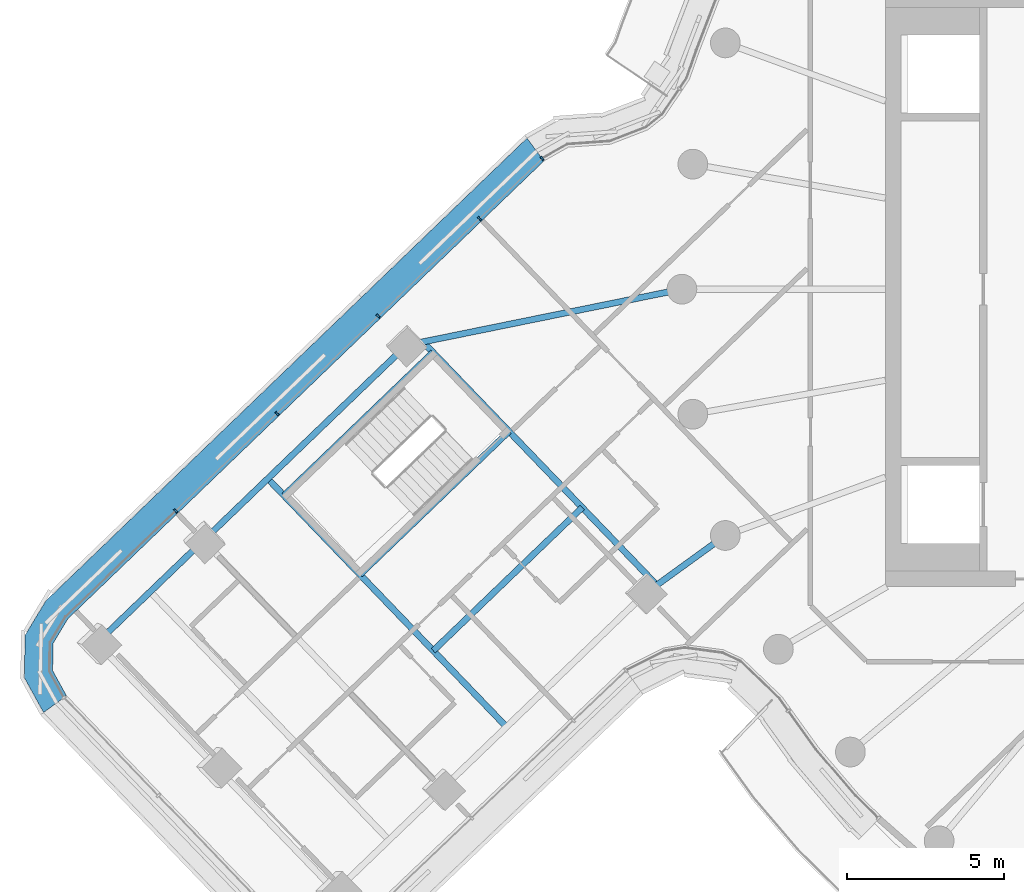
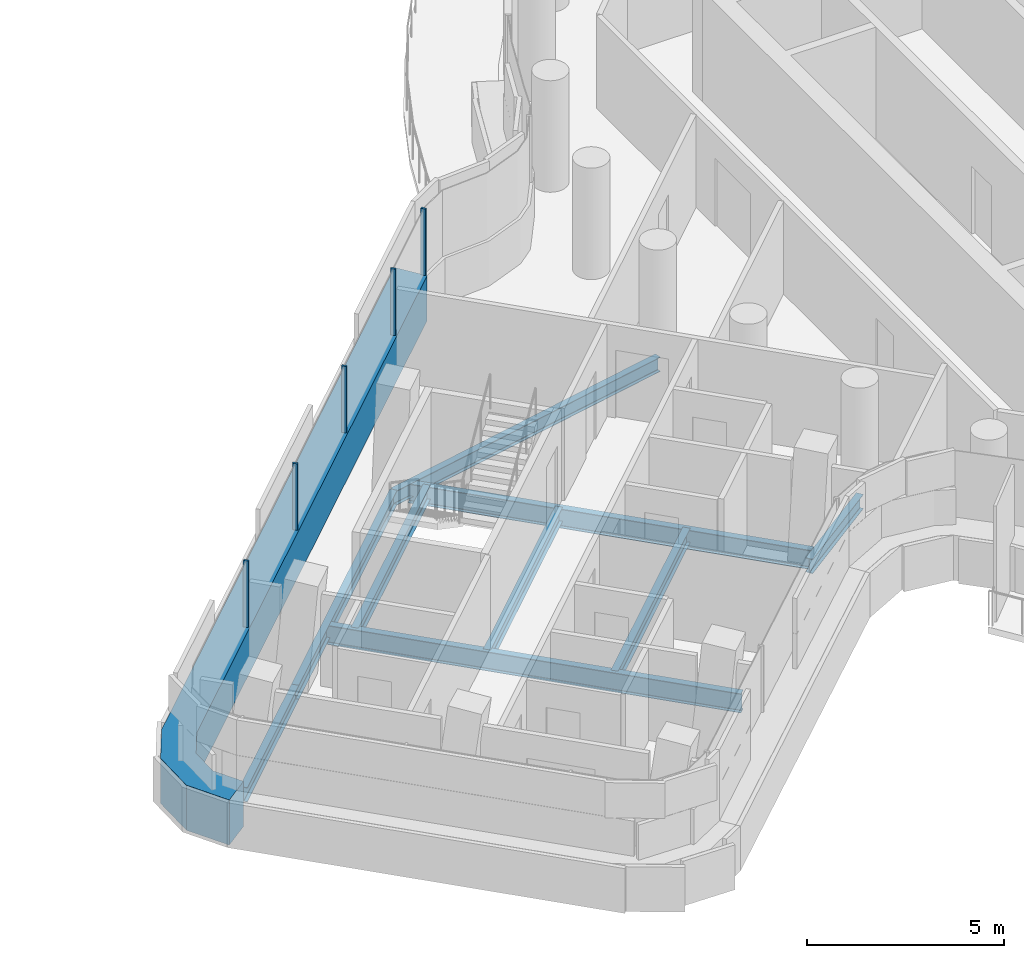
# One storey, part 9 of 34: 9 beams, 6 members, 1 element without a shape of its own.
"""IFC4 building model written with IfcOpenShell, lengths in metres."""

from ifc_helpers import new_model, si_unit, direction, frame, origin, origin_2d, place, context, subcontext, project, spatial, polyline, rectangle, i_section, outline, extrude, material, layer, layer_set, material_profile, profile_set, type_object, element, aggregate, save


model = new_model("IFC4")

# Units and contexts
model_context = context("Model", 3, precision=1e-05, world=origin(), true_north=direction((0.0, 1.0)))
body_context = subcontext(model_context, "Body", "Model", "MODEL_VIEW")
ifc_project = project(units=[si_unit("LENGTHUNIT", "METRE"), si_unit("AREAUNIT", "SQUARE_METRE"), si_unit("VOLUMEUNIT", "CUBIC_METRE"), si_unit("PLANEANGLEUNIT", "RADIAN"), si_unit("MASSUNIT", "GRAM", prefix="KILO")], contexts=[model_context])

# Site, building, storey
site_placement = place(None, origin())
site = spatial("IfcSite", under=ifc_project, at=site_placement, CompositionType="ELEMENT")
building_placement = place(site_placement, origin())
building = spatial("IfcBuilding", under=site, at=building_placement, Name="Tamarind Cross Interchange Tower", CompositionType="ELEMENT")
storey_placement = place(building_placement, frame((0.0, 0.0, 193.300048828125)))
storey = spatial("IfcBuildingStorey", under=building, at=storey_placement, Name="L48", CompositionType="ELEMENT", Elevation=193.300048828125)

# Beams
ifc_material_1 = material(Name="Steel Q355B", Category="steel")
ifc_material_profile_1 = material_profile(ifc_material_1, i_section(OverallWidth=0.198974609375, OverallDepth=0.446044921875, WebThickness=0.008056640625, FlangeThickness=0.011962890625, FilletRadius=0.012939453125, at=origin_2d()), Name="HN 446x199x8x12")
ifc_profile_set_1 = profile_set([ifc_material_profile_1], Name="Steel Q355B")
beam_type_1 = type_object("IfcBeamType", Name="Composite beam HN 446x199x8x12 Q355B", PredefinedType="BEAM", material=ifc_profile_set_1)
beam_1_placement = place(storey_placement, frame((-41.687255859375, -11.302490234375, -0.363037109375), z_axis=(0.720794338404, 0.693148989558, 0.0), x_axis=(-0.693148989558, 0.720794338404, 0.0)))
element("IfcBeam", 1, at=beam_1_placement, inside=storey, type_object=beam_type_1, Name="Beam W-edgeem5", PredefinedType="BEAM", context=body_context, shape_type="SweptSolid", body=[
    extrude(i_section(OverallWidth=0.198974609375, OverallDepth=0.446044921875, WebThickness=0.008056640625, FlangeThickness=0.011962890625, FilletRadius=0.012939453125, at=origin_2d()), origin(), (0.0, 0.0, 1.0), 4.724609375),
])
beam_2_placement = place(storey_placement, frame((-38.28173828125, -8.027587890625, -0.363037109375), z_axis=(0.720766338553, 0.69317810497, 0.0), x_axis=(-0.69317810497, 0.720766338553, 0.0)))
element("IfcBeam", 2, at=beam_2_placement, inside=storey, type_object=beam_type_1, Name="Beam W-edgeem6", PredefinedType="BEAM", context=body_context, shape_type="SweptSolid", body=[
    extrude(i_section(OverallWidth=0.198974609375, OverallDepth=0.446044921875, WebThickness=0.008056640625, FlangeThickness=0.011962890625, FilletRadius=0.012939453125, at=origin_2d()), origin(), (0.0, 0.0, 1.0), 9.0),
])
beam_3_placement = place(storey_placement, frame((-31.794921875, -1.7890625, -0.363037109375), z_axis=(0.979930898757, 0.199337486845, 0.0), x_axis=(-0.199337486845, 0.979930898757, 0.0)))
element("IfcBeam", 3, at=beam_3_placement, inside=storey, type_object=beam_type_1, Name="Beam W-linkem", PredefinedType="BEAM", context=body_context, shape_type="SweptSolid", body=[
    extrude(i_section(OverallWidth=0.198974609375, OverallDepth=0.446044921875, WebThickness=0.008056640625, FlangeThickness=0.011962890625, FilletRadius=0.012939453125, at=origin_2d()), origin(), (0.0, 0.0, 1.0), 8.97509765625),
])
beam_4_placement = place(storey_placement, frame((-24.169921875, -9.717529296875, -0.363037109375), z_axis=(0.810011796799, 0.586413581909, 0.0), x_axis=(-0.586413581909, 0.810011796799, 0.0)))
element("IfcBeam", 4, at=beam_4_placement, inside=storey, type_object=beam_type_1, Name="Beam W-linkep", PredefinedType="BEAM", context=body_context, shape_type="SweptSolid", body=[
    extrude(i_section(OverallWidth=0.198974609375, OverallDepth=0.446044921875, WebThickness=0.008056640625, FlangeThickness=0.011962890625, FilletRadius=0.012939453125, at=origin_2d()), origin(), (0.0, 0.0, 1.0), 3.156494140625),
])
for number, where, z_axis, x_axis, name in (
    (5, (-30.95068359375, -2.017822265625, -0.363037109375), (-0.720788280667, -0.693155288845, 0.0), (0.693155288845, -0.720788280667, 0.0), "Beam W-tr0"),
    (6, (-28.524658203125, -4.54052734375, -0.363037109375), (-0.720788280667, -0.693155288845, 0.0), (0.693155288845, -0.720788280667, 0.0), "Beam W-tr1"),
    (7, (-26.18505859375, -6.97314453125, -0.363037109375), (-0.720788280667, -0.693155288845, 0.0), (0.693155288845, -0.720788280667, 0.0), "Beam W-stripp"),
):
    element("IfcBeam", number, at=place(storey_placement, frame(where, z_axis=z_axis, x_axis=x_axis)), inside=storey, type_object=beam_type_1, Name=name, PredefinedType="BEAM", context=body_context, shape_type="SweptSolid", body=[
        extrude(i_section(OverallWidth=0.198974609375, OverallDepth=0.446044921875, WebThickness=0.008056640625, FlangeThickness=0.011962890625, FilletRadius=0.012939453125, at=origin_2d()), origin(), (0.0, 0.0, 1.0), 6.599853515625),
    ])
ifc_material_profile_2 = material_profile(ifc_material_1, i_section(OverallWidth=0.198974609375, OverallDepth=0.595947265625, WebThickness=0.010009765625, FlangeThickness=0.014892578125, FilletRadius=0.012939453125, at=origin_2d()), Name="HN 596x199x10x15")
ifc_profile_set_2 = profile_set([ifc_material_profile_2], Name="Steel Q355B")
beam_type_2 = type_object("IfcBeamType", Name="Composite beam HN 596x199x10x15 Q355B", PredefinedType="BEAM", material=ifc_profile_set_2)
beam_5_placement = place(storey_placement, frame((-31.272705078125, -1.682861328125, -0.43798828125), z_axis=(0.693165301739, -0.720778651505, 0.0), x_axis=(0.720778651505, 0.693165301739, 0.0)))
element("IfcBeam", 8, at=beam_5_placement, inside=storey, type_object=beam_type_2, Name="Beam W-x298", PredefinedType="BEAM", context=body_context, shape_type="SweptSolid", body=[
    extrude(i_section(OverallWidth=0.198974609375, OverallDepth=0.595947265625, WebThickness=0.010009765625, FlangeThickness=0.014892578125, FilletRadius=0.012939453125, at=origin_2d()), origin(), (0.0, 0.0, 1.0), 10.777587890625),
])
beam_6_placement = place(storey_placement, frame((-36.2275390625, -6.052001953125, -0.43798828125), z_axis=(0.693166819765, -0.720777191632, 0.0), x_axis=(0.720777191632, 0.693166819765, 0.0)))
element("IfcBeam", 9, at=beam_6_placement, inside=storey, type_object=beam_type_2, Name="Beam W-x364", PredefinedType="BEAM", context=body_context, shape_type="SweptSolid", body=[
    extrude(i_section(OverallWidth=0.198974609375, OverallDepth=0.595947265625, WebThickness=0.010009765625, FlangeThickness=0.014892578125, FilletRadius=0.012939453125, at=origin_2d()), origin(), (0.0, 0.0, 1.0), 11.0),
])

# Curtain wall, members
ifc_material_2 = material(Name="Aluminium 6063-T6", Category="aluminium")
ifc_layer = layer(ifc_material_2, 0.139892578125)
ifc_layer_set = layer_set([ifc_layer], Name="Aluminium 6063-T6")
curtain_wall_type = type_object("IfcCurtainWallType", Name="Hotel curtain wall, 4.5 m bays", PredefinedType="NOTDEFINED", material=ifc_layer_set)
curtain_wall_placement = place(storey_placement, origin())
curtain_wall = element("IfcCurtainWall", 10, at=curtain_wall_placement, inside=storey, type_object=curtain_wall_type, Name="CWS-L48-11", PredefinedType="NOTDEFINED")
ifc_material_3 = material(Name="Aluminium and insulated spandrel panel", Category="aluminium")
member_type_1 = type_object("IfcMemberType", Name="Floor-edge blade transom", PredefinedType="USERDEFINED", material=ifc_material_3)
member_1_placement = place(storey_placement, origin())
member_1 = element("IfcMember", 11, at=member_1_placement, type_object=member_type_1, Name="CWT-L48-11", ObjectType="TRANSOM", PredefinedType="USERDEFINED", context=body_context, shape_type="SweptSolid", body=[
    extrude(outline(polyline([(-27.406494140625, 4.095947265625), (-42.609375, -10.524658203125), (-43.08251953125, -11.308349609375), (-43.099609375, -12.1826171875), (-42.657470703125, -12.984130859375), (-43.388427734375, -13.522705078125), (-44.004150390625, -12.40625), (-43.977783203125, -11.049560546875), (-43.31884765625, -9.9580078125), (-27.948486328125, 4.823486328125), (-27.406494140625, 4.095947265625)])), origin(), (0.0, 0.0, 1.0), 1.39990234375),
])
ifc_material_profile_3 = material_profile(ifc_material_2, rectangle(XDim=0.06005859375, YDim=0.139892578125, at=origin_2d()), Name="Mullion CW2")
ifc_profile_set_3 = profile_set([ifc_material_profile_3], Name="Aluminium 6063-T6")
member_type_2 = type_object("IfcMemberType", Name="Mullion CW2", PredefinedType="MULLION", material=ifc_profile_set_3)
member_2_placement = place(storey_placement, frame((-27.466796875, 4.177001953125, 1.39990234375), z_axis=(0.0, 0.0, 1.0), x_axis=(-0.801937233188, -0.597408297588, 0.0)))
member_2 = element("IfcMember", 12, at=member_2_placement, type_object=member_type_2, Name="CWM-L48-11-00", PredefinedType="MULLION", context=body_context, shape_type="SweptSolid", body=[
    extrude(rectangle(XDim=0.06005859375, YDim=0.139892578125, at=origin_2d()), origin(), (0.0, 0.0, 1.0), 2.06005859375),
])
member_3_placement = place(storey_placement, frame((-29.4658203125, 2.25439453125, 1.39990234375), z_axis=(0.0, 0.0, 1.0), x_axis=(-0.720773753988, -0.69317039432, 0.0)))
member_3 = element("IfcMember", 13, at=member_3_placement, type_object=member_type_2, Name="CWM-L48-11-01", PredefinedType="MULLION", context=body_context, shape_type="SweptSolid", body=[
    extrude(rectangle(XDim=0.06005859375, YDim=0.139892578125, at=origin_2d()), origin(), (0.0, 0.0, 1.0), 2.06005859375),
])
member_4_placement = place(storey_placement, frame((-32.701416015625, -0.857177734375, 1.39990234375), z_axis=(0.0, 0.0, 1.0), x_axis=(-0.720773753988, -0.69317039432, 0.0)))
member_4 = element("IfcMember", 14, at=member_4_placement, type_object=member_type_2, Name="CWM-L48-11-02", PredefinedType="MULLION", context=body_context, shape_type="SweptSolid", body=[
    extrude(rectangle(XDim=0.06005859375, YDim=0.139892578125, at=origin_2d()), origin(), (0.0, 0.0, 1.0), 2.06005859375),
])
member_5_placement = place(storey_placement, frame((-35.93701171875, -3.968994140625, 1.39990234375), z_axis=(0.0, 0.0, 1.0), x_axis=(-0.720773753988, -0.69317039432, 0.0)))
member_5 = element("IfcMember", 15, at=member_5_placement, type_object=member_type_2, Name="CWM-L48-11-03", PredefinedType="MULLION", context=body_context, shape_type="SweptSolid", body=[
    extrude(rectangle(XDim=0.06005859375, YDim=0.139892578125, at=origin_2d()), origin(), (0.0, 0.0, 1.0), 2.06005859375),
])
member_6_placement = place(storey_placement, frame((-39.172607421875, -7.08056640625, 1.39990234375), z_axis=(0.0, 0.0, 1.0), x_axis=(-0.720773753988, -0.69317039432, 0.0)))
member_6 = element("IfcMember", 16, at=member_6_placement, type_object=member_type_2, Name="CWM-L48-11-04", PredefinedType="MULLION", context=body_context, shape_type="SweptSolid", body=[
    extrude(rectangle(XDim=0.06005859375, YDim=0.139892578125, at=origin_2d()), origin(), (0.0, 0.0, 1.0), 2.06005859375),
])
aggregate(curtain_wall, [member_2, member_3, member_4, member_5, member_6, member_1])

save(model, "model.ifc")
